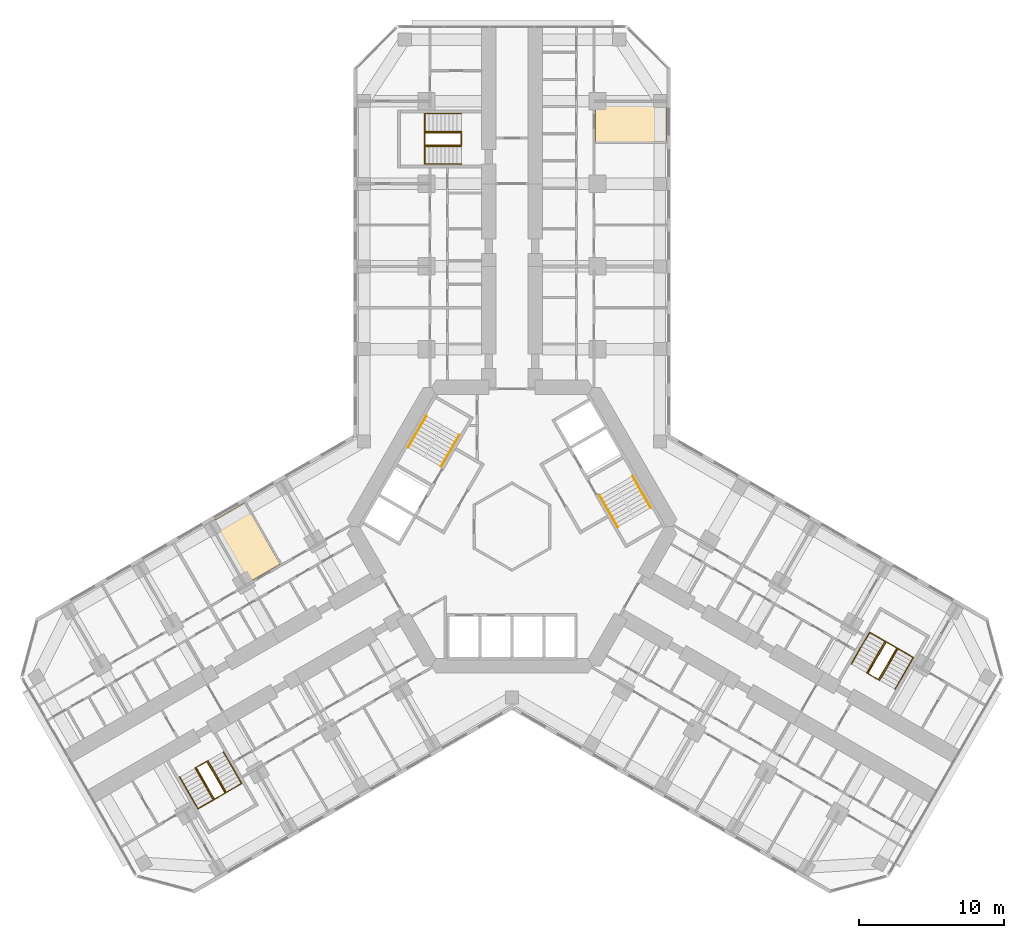
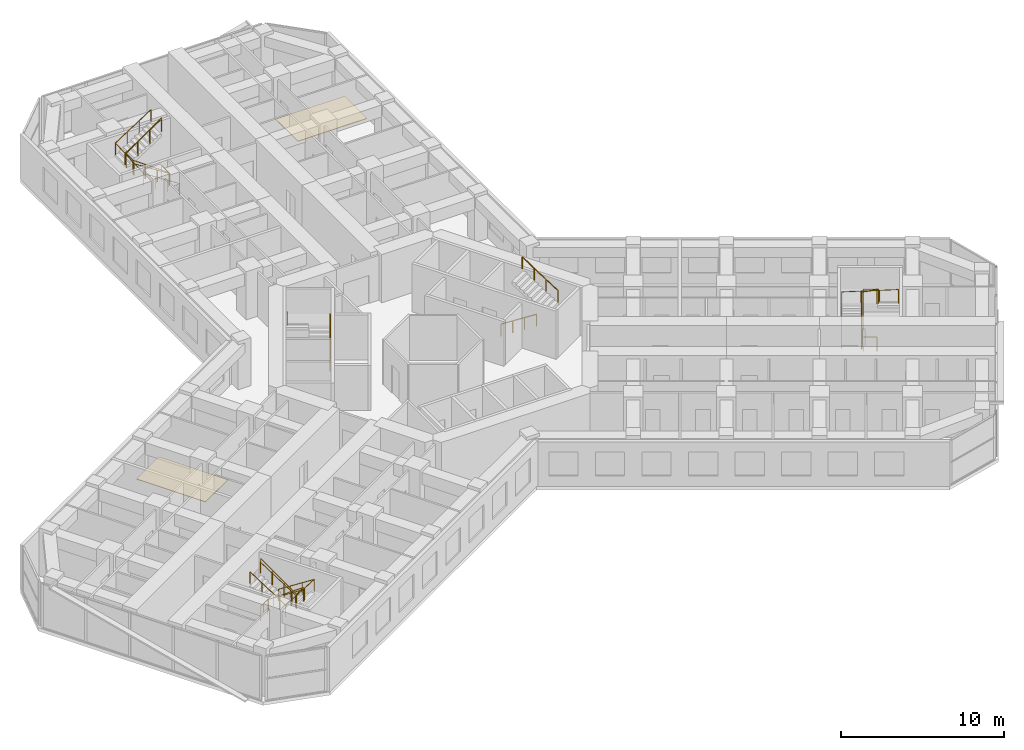
# One storey, part 22 of 22: 13 railings, 2 coverings.
"""IFC4 building model written with IfcOpenShell, lengths in metres."""

from ifc_helpers import new_model, si_unit, direction, frame, origin, origin_2d, place, context, subcontext, project, spatial, polyline, circle, outline, extrude, material, layer, layer_set, type_object, element, save


model = new_model("IFC4")

# Units and contexts
model_context = context("Model", 3, precision=1e-05, world=origin(), true_north=direction((0.0, 1.0)))
body_context = subcontext(model_context, "Body", "Model", "MODEL_VIEW")
ifc_project = project(units=[si_unit("LENGTHUNIT", "METRE"), si_unit("AREAUNIT", "SQUARE_METRE"), si_unit("VOLUMEUNIT", "CUBIC_METRE"), si_unit("PLANEANGLEUNIT", "RADIAN"), si_unit("MASSUNIT", "GRAM", prefix="KILO")], contexts=[model_context])

# Site, building, storey
site_placement = place(None, origin())
site = spatial("IfcSite", under=ifc_project, at=site_placement, CompositionType="ELEMENT")
building_placement = place(site_placement, origin())
building = spatial("IfcBuilding", under=site, at=building_placement, Name="Kosmar Iwan School Tower", CompositionType="ELEMENT")
storey_placement = place(building_placement, frame((0.0, 0.0, 95.199951171875)))
storey = spatial("IfcBuildingStorey", under=building, at=storey_placement, Name="L23", CompositionType="ELEMENT", Elevation=95.199951171875)

# Railings
ifc_material_1 = material(Name="Black steel", Category="steel")
railing_type_1 = type_object("IfcRailingType", Name="Stair handrail 900", PredefinedType="HANDRAIL", material=ifc_material_1)
railing_1_placement = place(storey_placement, frame((-4.89453125, 4.142333984375, 0.179931640625)))
element("IfcRailing", 1, at=railing_1_placement, inside=storey, type_object=railing_type_1, Name="Handrail ST2 flight 1", PredefinedType="HANDRAIL", context=body_context, shape_type="SweptSolid", body=[
    extrude(circle(Radius=0.02392578125, at=origin_2d()), frame((0.0, 0.0, 0.8759765625), z_axis=(0.420584145978, 0.728463801763, 0.540785970299), x_axis=(-0.866022637375, 0.500004791531, 0.0)), (0.0, 0.0, 1.0), 2.995849609375),
    extrude(circle(Radius=0.02099609375, at=origin_2d()), origin(), (0.0, 0.0, 1.0), 0.851806640625),
    extrude(circle(Radius=0.02099609375, at=origin_2d()), frame((0.419921875, 0.7275390625, 0.5400390625)), (0.0, 0.0, 1.0), 0.851806640625),
    extrude(circle(Radius=0.02099609375, at=origin_2d()), frame((0.840087890625, 1.454833984375, 1.080078125)), (0.0, 0.0, 1.0), 0.851806640625),
    extrude(circle(Radius=0.02099609375, at=origin_2d()), frame((1.260009765625, 2.182373046875, 1.6201171875)), (0.0, 0.0, 1.0), 0.851806640625),
])
railing_2_placement = place(storey_placement, frame((-5.912353515625, 7.6396484375, 1.97998046875)))
element("IfcRailing", 2, at=railing_2_placement, inside=storey, type_object=railing_type_1, Name="Handrail ST2 flight 2", PredefinedType="HANDRAIL", context=body_context, shape_type="SweptSolid", body=[
    extrude(circle(Radius=0.02392578125, at=origin_2d()), frame((0.0, 0.0, 0.8759765625), z_axis=(-0.420584145978, -0.728463801763, 0.540785970299), x_axis=(0.866022637375, -0.500004791531, 0.0)), (0.0, 0.0, 1.0), 2.995849609375),
    extrude(circle(Radius=0.02099609375, at=origin_2d()), origin(), (0.0, 0.0, 1.0), 0.851806640625),
    extrude(circle(Radius=0.02099609375, at=origin_2d()), frame((-0.419921875, -0.7275390625, 0.5400390625)), (0.0, 0.0, 1.0), 0.851806640625),
    extrude(circle(Radius=0.02099609375, at=origin_2d()), frame((-0.840087890625, -1.454833984375, 1.080078125)), (0.0, 0.0, 1.0), 0.851806640625),
    extrude(circle(Radius=0.02099609375, at=origin_2d()), frame((-1.260009765625, -2.182373046875, 1.6201171875)), (0.0, 0.0, 1.0), 0.851806640625),
])
railing_3_placement = place(storey_placement, frame((6.03466796875, 2.167724609375, 0.179931640625)))
element("IfcRailing", 3, at=railing_3_placement, inside=storey, type_object=railing_type_1, Name="Handrail ST1 flight 1", PredefinedType="HANDRAIL", context=body_context, shape_type="SweptSolid", body=[
    extrude(circle(Radius=0.02392578125, at=origin_2d()), frame((0.0, 0.0, 0.8759765625), z_axis=(0.420584145978, -0.728463801763, 0.540785970299), x_axis=(0.866022637375, 0.500004791531, 0.0)), (0.0, 0.0, 1.0), 2.995849609375),
    extrude(circle(Radius=0.02099609375, at=origin_2d()), origin(), (0.0, 0.0, 1.0), 0.851806640625),
    extrude(circle(Radius=0.02099609375, at=origin_2d()), frame((0.419921875, -0.7275390625, 0.5400390625)), (0.0, 0.0, 1.0), 0.851806640625),
    extrude(circle(Radius=0.02099609375, at=origin_2d()), frame((0.840087890625, -1.454833984375, 1.080078125)), (0.0, 0.0, 1.0), 0.851806640625),
    extrude(circle(Radius=0.02099609375, at=origin_2d()), frame((1.260009765625, -2.182373046875, 1.6201171875)), (0.0, 0.0, 1.0), 0.851806640625),
])
railing_4_placement = place(storey_placement, frame((9.572265625, 1.30029296875, 1.97998046875)))
element("IfcRailing", 4, at=railing_4_placement, inside=storey, type_object=railing_type_1, Name="Handrail ST1 flight 2", PredefinedType="HANDRAIL", context=body_context, shape_type="SweptSolid", body=[
    extrude(circle(Radius=0.02392578125, at=origin_2d()), frame((0.0, 0.0, 0.8759765625), z_axis=(-0.420584145978, 0.728463801763, 0.540785970299), x_axis=(-0.866022637375, -0.500004791531, 0.0)), (0.0, 0.0, 1.0), 2.995849609375),
    extrude(circle(Radius=0.02099609375, at=origin_2d()), origin(), (0.0, 0.0, 1.0), 0.851806640625),
    extrude(circle(Radius=0.02099609375, at=origin_2d()), frame((-0.419921875, 0.7275390625, 0.5400390625)), (0.0, 0.0, 1.0), 0.851806640625),
    extrude(circle(Radius=0.02099609375, at=origin_2d()), frame((-0.840087890625, 1.454833984375, 1.080078125)), (0.0, 0.0, 1.0), 0.851806640625),
    extrude(circle(Radius=0.02099609375, at=origin_2d()), frame((-1.260009765625, 2.182373046875, 1.6201171875)), (0.0, 0.0, 1.0), 0.851806640625),
])
railing_5_placement = place(storey_placement, frame((-3.5, 25.010009765625, 0.179931640625)))
element("IfcRailing", 5, at=railing_5_placement, inside=storey, type_object=railing_type_1, Name="Handrail stair WS1 L23 wall side", PredefinedType="HANDRAIL", context=body_context, shape_type="SweptSolid", body=[
    extrude(circle(Radius=0.02392578125, at=origin_2d()), frame((0.0, 0.0, 0.8759765625), z_axis=(-0.841162588446, 0.0, 0.540782303519), x_axis=(0.0, -1.0, 0.0)), (0.0, 0.0, 1.0), 2.995849609375),
    extrude(circle(Radius=0.02392578125, at=origin_2d()), frame((-2.52001953125, 0.0, 2.49609375), z_axis=(0.0, 0.998665981786, 0.051635809497), x_axis=(-1.0, 0.0, 0.0)), (0.0, 0.0, 1.0), 3.484619140625),
    extrude(circle(Radius=0.02392578125, at=origin_2d()), frame((-2.52001953125, 3.47998046875, 2.67578125), z_axis=(0.841162588446, 0.0, 0.540782303519), x_axis=(0.0, 1.0, 0.0)), (0.0, 0.0, 1.0), 2.995849609375),
    extrude(circle(Radius=0.02099609375, at=origin_2d()), origin(), (0.0, 0.0, 1.0), 0.851806640625),
    extrude(circle(Radius=0.02099609375, at=origin_2d()), frame((-0.840087890625, 0.0, 0.5400390625)), (0.0, 0.0, 1.0), 0.851806640625),
    extrude(circle(Radius=0.02099609375, at=origin_2d()), frame((-1.679931640625, 0.0, 1.080078125)), (0.0, 0.0, 1.0), 0.851806640625),
    extrude(circle(Radius=0.02099609375, at=origin_2d()), frame((-2.52001953125, 0.0, 1.6201171875)), (0.0, 0.0, 1.0), 0.851806640625),
    extrude(circle(Radius=0.02099609375, at=origin_2d()), frame((-2.52001953125, 1.159912109375, 1.68017578125)), (0.0, 0.0, 1.0), 0.851806640625),
    extrude(circle(Radius=0.02099609375, at=origin_2d()), frame((-2.52001953125, 2.320068359375, 1.739990234375)), (0.0, 0.0, 1.0), 0.851806640625),
    extrude(circle(Radius=0.02099609375, at=origin_2d()), frame((-2.52001953125, 3.47998046875, 1.800048828125)), (0.0, 0.0, 1.0), 0.851806640625),
    extrude(circle(Radius=0.02099609375, at=origin_2d()), frame((-1.679931640625, 3.47998046875, 2.340087890625)), (0.0, 0.0, 1.0), 0.851806640625),
    extrude(circle(Radius=0.02099609375, at=origin_2d()), frame((-0.840087890625, 3.47998046875, 2.880126953125)), (0.0, 0.0, 1.0), 0.851806640625),
    extrude(circle(Radius=0.02099609375, at=origin_2d()), frame((0.0, 3.47998046875, 3.420166015625)), (0.0, 0.0, 1.0), 0.851806640625),
])
railing_6_placement = place(storey_placement, frame((-3.5, 26.239990234375, 0.179931640625)))
element("IfcRailing", 6, at=railing_6_placement, inside=storey, type_object=railing_type_1, Name="Handrail stair WS1 L23 well side", PredefinedType="HANDRAIL", context=body_context, shape_type="SweptSolid", body=[
    extrude(circle(Radius=0.02392578125, at=origin_2d()), frame((0.0, 0.0, 0.8759765625), z_axis=(-0.841162588446, 0.0, 0.540782303519), x_axis=(0.0, -1.0, 0.0)), (0.0, 0.0, 1.0), 2.995849609375),
    extrude(circle(Radius=0.02392578125, at=origin_2d()), frame((-2.52001953125, 0.0, 2.49609375), z_axis=(0.0, 0.984795421109, 0.173718100851), x_axis=(-1.0, 0.0, 0.0)), (0.0, 0.0, 1.0), 1.035888671875),
    extrude(circle(Radius=0.02392578125, at=origin_2d()), frame((-2.52001953125, 1.02001953125, 2.67578125), z_axis=(0.841162588446, 0.0, 0.540782303519), x_axis=(0.0, 1.0, 0.0)), (0.0, 0.0, 1.0), 2.995849609375),
    extrude(circle(Radius=0.02099609375, at=origin_2d()), origin(), (0.0, 0.0, 1.0), 0.851806640625),
    extrude(circle(Radius=0.02099609375, at=origin_2d()), frame((-0.840087890625, 0.0, 0.5400390625)), (0.0, 0.0, 1.0), 0.851806640625),
    extrude(circle(Radius=0.02099609375, at=origin_2d()), frame((-1.679931640625, 0.0, 1.080078125)), (0.0, 0.0, 1.0), 0.851806640625),
    extrude(circle(Radius=0.02099609375, at=origin_2d()), frame((-2.52001953125, 0.0, 1.6201171875)), (0.0, 0.0, 1.0), 0.851806640625),
    extrude(circle(Radius=0.02099609375, at=origin_2d()), frame((-2.52001953125, 1.02001953125, 1.800048828125)), (0.0, 0.0, 1.0), 0.851806640625),
    extrude(circle(Radius=0.02099609375, at=origin_2d()), frame((-1.679931640625, 1.02001953125, 2.340087890625)), (0.0, 0.0, 1.0), 0.851806640625),
    extrude(circle(Radius=0.02099609375, at=origin_2d()), frame((-0.840087890625, 1.02001953125, 2.880126953125)), (0.0, 0.0, 1.0), 0.851806640625),
    extrude(circle(Radius=0.02099609375, at=origin_2d()), frame((0.0, 1.02001953125, 3.420166015625)), (0.0, 0.0, 1.0), 0.851806640625),
])
railing_7_placement = place(storey_placement, frame((-19.9091796875, -15.5361328125, 0.179931640625)))
element("IfcRailing", 7, at=railing_7_placement, inside=storey, type_object=railing_type_1, Name="Handrail stair WS2 L23 wall side", PredefinedType="HANDRAIL", context=body_context, shape_type="SweptSolid", body=[
    extrude(circle(Radius=0.02392578125, at=origin_2d()), frame((0.0, 0.0, 0.8759765625), z_axis=(0.420517065106, -0.728488768407, 0.540804504659), x_axis=(0.866064587494, 0.499932125682, 0.0)), (0.0, 0.0, 1.0), 2.995849609375),
    extrude(circle(Radius=0.02392578125, at=origin_2d()), frame((1.259765625, -2.182373046875, 2.49609375), z_axis=(-0.864864352349, -0.499342858003, 0.051636829851), x_axis=(0.500009906705, -0.86601968407, 0.0)), (0.0, 0.0, 1.0), 3.484619140625),
    extrude(circle(Radius=0.02392578125, at=origin_2d()), frame((-1.75390625, -3.92236328125, 2.67578125), z_axis=(-0.420584145978, 0.728463801763, 0.540785970299), x_axis=(-0.866022637375, -0.500004791531, 0.0)), (0.0, 0.0, 1.0), 2.995849609375),
    extrude(circle(Radius=0.02099609375, at=origin_2d()), origin(), (0.0, 0.0, 1.0), 0.851806640625),
    extrude(circle(Radius=0.02099609375, at=origin_2d()), frame((0.419921875, -0.7275390625, 0.5400390625)), (0.0, 0.0, 1.0), 0.851806640625),
    extrude(circle(Radius=0.02099609375, at=origin_2d()), frame((0.83984375, -1.454833984375, 1.080078125)), (0.0, 0.0, 1.0), 0.851806640625),
    extrude(circle(Radius=0.02099609375, at=origin_2d()), frame((1.259765625, -2.182373046875, 1.6201171875)), (0.0, 0.0, 1.0), 0.851806640625),
    extrude(circle(Radius=0.02099609375, at=origin_2d()), frame((0.255126953125, -2.762451171875, 1.68017578125)), (0.0, 0.0, 1.0), 0.851806640625),
    extrude(circle(Radius=0.02099609375, at=origin_2d()), frame((-0.749267578125, -3.34228515625, 1.739990234375)), (0.0, 0.0, 1.0), 0.851806640625),
    extrude(circle(Radius=0.02099609375, at=origin_2d()), frame((-1.75390625, -3.92236328125, 1.800048828125)), (0.0, 0.0, 1.0), 0.851806640625),
    extrude(circle(Radius=0.02099609375, at=origin_2d()), frame((-2.173828125, -3.19482421875, 2.340087890625)), (0.0, 0.0, 1.0), 0.851806640625),
    extrude(circle(Radius=0.02099609375, at=origin_2d()), frame((-2.593994140625, -2.467529296875, 2.880126953125)), (0.0, 0.0, 1.0), 0.851806640625),
    extrude(circle(Radius=0.02099609375, at=origin_2d()), frame((-3.013916015625, -1.739990234375, 3.420166015625)), (0.0, 0.0, 1.0), 0.851806640625),
])
railing_8_placement = place(storey_placement, frame((-20.974609375, -16.151123046875, 0.179931640625)))
element("IfcRailing", 8, at=railing_8_placement, inside=storey, type_object=railing_type_1, Name="Handrail stair WS2 L23 well side", PredefinedType="HANDRAIL", context=body_context, shape_type="SweptSolid", body=[
    extrude(circle(Radius=0.02392578125, at=origin_2d()), frame((0.0, 0.0, 0.8759765625), z_axis=(0.420584145978, -0.728463801763, 0.540785970299), x_axis=(0.866022637375, 0.500004791531, 0.0)), (0.0, 0.0, 1.0), 2.995849609375),
    extrude(circle(Radius=0.02392578125, at=origin_2d()), frame((1.260009765625, -2.182373046875, 2.49609375), z_axis=(-0.852841519511, -0.492422867401, 0.173726976197), x_axis=(0.500026340207, -0.866010195725, 0.0)), (0.0, 0.0, 1.0), 1.03564453125),
    extrude(circle(Radius=0.02392578125, at=origin_2d()), frame((0.376708984375, -2.6923828125, 2.67578125), z_axis=(-0.420584145978, 0.728463801763, 0.540785970299), x_axis=(-0.866022637375, -0.500004791531, 0.0)), (0.0, 0.0, 1.0), 2.995849609375),
    extrude(circle(Radius=0.02099609375, at=origin_2d()), origin(), (0.0, 0.0, 1.0), 0.851806640625),
    extrude(circle(Radius=0.02099609375, at=origin_2d()), frame((0.419921875, -0.7275390625, 0.5400390625)), (0.0, 0.0, 1.0), 0.851806640625),
    extrude(circle(Radius=0.02099609375, at=origin_2d()), frame((0.840087890625, -1.454833984375, 1.080078125)), (0.0, 0.0, 1.0), 0.851806640625),
    extrude(circle(Radius=0.02099609375, at=origin_2d()), frame((1.260009765625, -2.182373046875, 1.6201171875)), (0.0, 0.0, 1.0), 0.851806640625),
    extrude(circle(Radius=0.02099609375, at=origin_2d()), frame((0.376708984375, -2.6923828125, 1.800048828125)), (0.0, 0.0, 1.0), 0.851806640625),
    extrude(circle(Radius=0.02099609375, at=origin_2d()), frame((-0.043212890625, -1.96484375, 2.340087890625)), (0.0, 0.0, 1.0), 0.851806640625),
    extrude(circle(Radius=0.02099609375, at=origin_2d()), frame((-0.46337890625, -1.237548828125, 2.880126953125)), (0.0, 0.0, 1.0), 0.851806640625),
    extrude(circle(Radius=0.02099609375, at=origin_2d()), frame((-0.88330078125, -0.510009765625, 3.420166015625)), (0.0, 0.0, 1.0), 0.851806640625),
])
railing_9_placement = place(storey_placement, frame((23.4091796875, -9.473876953125, 0.179931640625)))
element("IfcRailing", 9, at=railing_9_placement, inside=storey, type_object=railing_type_1, Name="Handrail stair WS3 L23 wall side", PredefinedType="HANDRAIL", context=body_context, shape_type="SweptSolid", body=[
    extrude(circle(Radius=0.02392578125, at=origin_2d()), frame((0.0, 0.0, 0.8759765625), z_axis=(0.420584145978, 0.728463801763, 0.540785970299), x_axis=(-0.866022637375, 0.500004791531, 0.0)), (0.0, 0.0, 1.0), 2.995849609375),
    extrude(circle(Radius=0.02392578125, at=origin_2d()), frame((1.260009765625, 2.182373046875, 2.49609375), z_axis=(0.864882007433, -0.499312601618, 0.051633701051), x_axis=(0.499979528911, 0.866037222451, 0.0)), (0.0, 0.0, 1.0), 3.48486328125),
    extrude(circle(Radius=0.02392578125, at=origin_2d()), frame((4.27392578125, 0.4423828125, 2.67578125), z_axis=(-0.420584145978, -0.728463801763, 0.540785970299), x_axis=(0.866022637375, -0.500004791531, 0.0)), (0.0, 0.0, 1.0), 2.995849609375),
    extrude(circle(Radius=0.02099609375, at=origin_2d()), origin(), (0.0, 0.0, 1.0), 0.851806640625),
    extrude(circle(Radius=0.02099609375, at=origin_2d()), frame((0.419921875, 0.7275390625, 0.5400390625)), (0.0, 0.0, 1.0), 0.851806640625),
    extrude(circle(Radius=0.02099609375, at=origin_2d()), frame((0.840087890625, 1.454833984375, 1.080078125)), (0.0, 0.0, 1.0), 0.851806640625),
    extrude(circle(Radius=0.02099609375, at=origin_2d()), frame((1.260009765625, 2.182373046875, 1.6201171875)), (0.0, 0.0, 1.0), 0.851806640625),
    extrude(circle(Radius=0.02099609375, at=origin_2d()), frame((2.2646484375, 1.602294921875, 1.68017578125)), (0.0, 0.0, 1.0), 0.851806640625),
    extrude(circle(Radius=0.02099609375, at=origin_2d()), frame((3.269287109375, 1.0224609375, 1.739990234375)), (0.0, 0.0, 1.0), 0.851806640625),
    extrude(circle(Radius=0.02099609375, at=origin_2d()), frame((4.27392578125, 0.4423828125, 1.800048828125)), (0.0, 0.0, 1.0), 0.851806640625),
    extrude(circle(Radius=0.02099609375, at=origin_2d()), frame((3.85400390625, -0.28515625, 2.340087890625)), (0.0, 0.0, 1.0), 0.851806640625),
    extrude(circle(Radius=0.02099609375, at=origin_2d()), frame((3.433837890625, -1.012451171875, 2.880126953125)), (0.0, 0.0, 1.0), 0.851806640625),
    extrude(circle(Radius=0.02099609375, at=origin_2d()), frame((3.013916015625, -1.739990234375, 3.420166015625)), (0.0, 0.0, 1.0), 0.851806640625),
])
railing_10_placement = place(storey_placement, frame((24.474609375, -10.0888671875, 0.179931640625)))
element("IfcRailing", 10, at=railing_10_placement, inside=storey, type_object=railing_type_1, Name="Handrail stair WS3 L23 well side", PredefinedType="HANDRAIL", context=body_context, shape_type="SweptSolid", body=[
    extrude(circle(Radius=0.02392578125, at=origin_2d()), frame((0.0, 0.0, 0.8759765625), z_axis=(0.420584145978, 0.728463801763, 0.540785970299), x_axis=(-0.866022637375, 0.500004791531, 0.0)), (0.0, 0.0, 1.0), 2.995849609375),
    extrude(circle(Radius=0.02392578125, at=origin_2d()), frame((1.260009765625, 2.182373046875, 2.49609375), z_axis=(0.852841519511, -0.492422867401, 0.173726976197), x_axis=(0.500026340207, 0.866010195725, 0.0)), (0.0, 0.0, 1.0), 1.03564453125),
    extrude(circle(Radius=0.02392578125, at=origin_2d()), frame((2.143310546875, 1.67236328125, 2.67578125), z_axis=(-0.420584145978, -0.728463801763, 0.540785970299), x_axis=(0.866022637375, -0.500004791531, 0.0)), (0.0, 0.0, 1.0), 2.995849609375),
    extrude(circle(Radius=0.02099609375, at=origin_2d()), origin(), (0.0, 0.0, 1.0), 0.851806640625),
    extrude(circle(Radius=0.02099609375, at=origin_2d()), frame((0.419921875, 0.7275390625, 0.5400390625)), (0.0, 0.0, 1.0), 0.851806640625),
    extrude(circle(Radius=0.02099609375, at=origin_2d()), frame((0.840087890625, 1.454833984375, 1.080078125)), (0.0, 0.0, 1.0), 0.851806640625),
    extrude(circle(Radius=0.02099609375, at=origin_2d()), frame((1.260009765625, 2.182373046875, 1.6201171875)), (0.0, 0.0, 1.0), 0.851806640625),
    extrude(circle(Radius=0.02099609375, at=origin_2d()), frame((2.143310546875, 1.67236328125, 1.800048828125)), (0.0, 0.0, 1.0), 0.851806640625),
    extrude(circle(Radius=0.02099609375, at=origin_2d()), frame((1.723388671875, 0.94482421875, 2.340087890625)), (0.0, 0.0, 1.0), 0.851806640625),
    extrude(circle(Radius=0.02099609375, at=origin_2d()), frame((1.30322265625, 0.217529296875, 2.880126953125)), (0.0, 0.0, 1.0), 0.851806640625),
    extrude(circle(Radius=0.02099609375, at=origin_2d()), frame((0.88330078125, -0.510009765625, 3.420166015625)), (0.0, 0.0, 1.0), 0.851806640625),
])
ifc_material_2 = material(Name="Black steel", Category="steel")
railing_type_2 = type_object("IfcRailingType", Name="Stair well guard 1100", PredefinedType="GUARDRAIL", material=ifc_material_2)
railing_11_placement = place(storey_placement, frame((-3.5, 27.169921875, 0.0)))
element("IfcRailing", 11, at=railing_11_placement, inside=storey, type_object=railing_type_2, Name="Stair WS1 L23 well guard", PredefinedType="GUARDRAIL", context=body_context, shape_type="SweptSolid", body=[
    extrude(circle(Radius=0.02392578125, at=origin_2d()), frame((0.0, 0.0, 1.076171875), z_axis=(0.0, -1.0, 0.0), x_axis=(1.0, 0.0, 0.0)), (0.0, 0.0, 1.0), 0.83984375),
    extrude(circle(Radius=0.02392578125, at=origin_2d()), frame((0.0, -0.83984375, 1.076171875), z_axis=(-0.813728144527, 0.0, 0.581245650998), x_axis=(0.0, -1.0, 0.0)), (0.0, 0.0, 1.0), 3.096923828125),
    extrude(circle(Radius=0.02392578125, at=origin_2d()), frame((-2.52001953125, -0.83984375, 2.8759765625), z_axis=(0.0, 1.0, 0.0), x_axis=(-1.0, 0.0, 0.0)), (0.0, 0.0, 1.0), 0.83984375),
    extrude(circle(Radius=0.02392578125, at=origin_2d()), frame((-2.52001953125, 0.0, 2.8759765625), z_axis=(0.813728144527, 0.0, 0.581245650998), x_axis=(0.0, 1.0, 0.0)), (0.0, 0.0, 1.0), 3.096923828125),
    extrude(circle(Radius=0.02099609375, at=origin_2d()), origin(), (0.0, 0.0, 1.0), 1.052001953125),
    extrude(circle(Radius=0.02099609375, at=origin_2d()), frame((0.0, -0.83984375, 0.0)), (0.0, 0.0, 1.0), 1.052001953125),
    extrude(circle(Radius=0.02099609375, at=origin_2d()), frame((-0.840087890625, -0.83984375, 0.60009765625)), (0.0, 0.0, 1.0), 1.052001953125),
    extrude(circle(Radius=0.02099609375, at=origin_2d()), frame((-1.679931640625, -0.83984375, 1.199951171875)), (0.0, 0.0, 1.0), 1.052001953125),
    extrude(circle(Radius=0.02099609375, at=origin_2d()), frame((-2.52001953125, -0.83984375, 1.800048828125)), (0.0, 0.0, 1.0), 1.052001953125),
    extrude(circle(Radius=0.02099609375, at=origin_2d()), frame((-2.52001953125, 0.0, 1.800048828125)), (0.0, 0.0, 1.0), 1.052001953125),
    extrude(circle(Radius=0.02099609375, at=origin_2d()), frame((-1.679931640625, 0.0, 2.400146484375)), (0.0, 0.0, 1.0), 1.052001953125),
    extrude(circle(Radius=0.02099609375, at=origin_2d()), frame((-0.840087890625, 0.0, 3.0)), (0.0, 0.0, 1.0), 1.052001953125),
    extrude(circle(Radius=0.02099609375, at=origin_2d()), frame((0.0, 0.0, 3.60009765625)), (0.0, 0.0, 1.0), 1.052001953125),
])
railing_12_placement = place(storey_placement, frame((-21.780029296875, -16.6162109375, 0.0)))
element("IfcRailing", 12, at=railing_12_placement, inside=storey, type_object=railing_type_2, Name="Stair WS2 L23 well guard", PredefinedType="GUARDRAIL", context=body_context, shape_type="SweptSolid", body=[
    extrude(circle(Radius=0.02392578125, at=origin_2d()), frame((0.0, 0.0, 1.076171875), z_axis=(0.865962960534, 0.500108139288, 0.0), x_axis=(-0.500108139288, 0.865962960534, 0.0)), (0.0, 0.0, 1.0), 0.840087890625),
    extrude(circle(Radius=0.02392578125, at=origin_2d()), frame((0.7275390625, 0.420166015625, 1.076171875), z_axis=(0.40686665399, -0.704704712268, 0.58124933925), x_axis=(0.866022637375, 0.500004791531, 0.0)), (0.0, 0.0, 1.0), 3.096923828125),
    extrude(circle(Radius=0.02392578125, at=origin_2d()), frame((1.987548828125, -1.76220703125, 2.8759765625), z_axis=(-0.865962960534, -0.500108139288, 0.0), x_axis=(0.500108139288, -0.865962960534, 0.0)), (0.0, 0.0, 1.0), 0.840087890625),
    extrude(circle(Radius=0.02392578125, at=origin_2d()), frame((1.260009765625, -2.182373046875, 2.8759765625), z_axis=(-0.40686665399, 0.704704712268, 0.58124933925), x_axis=(-0.866022637375, -0.500004791531, 0.0)), (0.0, 0.0, 1.0), 3.096923828125),
    extrude(circle(Radius=0.02099609375, at=origin_2d()), origin(), (0.0, 0.0, 1.0), 1.052001953125),
    extrude(circle(Radius=0.02099609375, at=origin_2d()), frame((0.7275390625, 0.420166015625, 0.0)), (0.0, 0.0, 1.0), 1.052001953125),
    extrude(circle(Radius=0.02099609375, at=origin_2d()), frame((1.1474609375, -0.307373046875, 0.60009765625)), (0.0, 0.0, 1.0), 1.052001953125),
    extrude(circle(Radius=0.02099609375, at=origin_2d()), frame((1.567626953125, -1.03466796875, 1.199951171875)), (0.0, 0.0, 1.0), 1.052001953125),
    extrude(circle(Radius=0.02099609375, at=origin_2d()), frame((1.987548828125, -1.76220703125, 1.800048828125)), (0.0, 0.0, 1.0), 1.052001953125),
    extrude(circle(Radius=0.02099609375, at=origin_2d()), frame((1.260009765625, -2.182373046875, 1.800048828125)), (0.0, 0.0, 1.0), 1.052001953125),
    extrude(circle(Radius=0.02099609375, at=origin_2d()), frame((0.840087890625, -1.454833984375, 2.400146484375)), (0.0, 0.0, 1.0), 1.052001953125),
    extrude(circle(Radius=0.02099609375, at=origin_2d()), frame((0.419921875, -0.7275390625, 3.0)), (0.0, 0.0, 1.0), 1.052001953125),
    extrude(circle(Radius=0.02099609375, at=origin_2d()), frame((0.0, 0.0, 3.60009765625)), (0.0, 0.0, 1.0), 1.052001953125),
])
railing_13_placement = place(storey_placement, frame((25.280029296875, -10.553955078125, 0.0)))
element("IfcRailing", 13, at=railing_13_placement, inside=storey, type_object=railing_type_2, Name="Stair WS3 L23 well guard", PredefinedType="GUARDRAIL", context=body_context, shape_type="SweptSolid", body=[
    extrude(circle(Radius=0.02392578125, at=origin_2d()), frame((0.0, 0.0, 1.076171875), z_axis=(-0.865962960534, 0.500108139288, 0.0), x_axis=(-0.500108139288, -0.865962960534, 0.0)), (0.0, 0.0, 1.0), 0.840087890625),
    extrude(circle(Radius=0.02392578125, at=origin_2d()), frame((-0.7275390625, 0.420166015625, 1.076171875), z_axis=(0.40686665399, 0.704704712268, 0.58124933925), x_axis=(-0.866022637375, 0.500004791531, 0.0)), (0.0, 0.0, 1.0), 3.096923828125),
    extrude(circle(Radius=0.02392578125, at=origin_2d()), frame((0.532470703125, 2.6025390625, 2.8759765625), z_axis=(0.865890253765, -0.500234013672, 0.0), x_axis=(0.500234013672, 0.865890253765, 0.0)), (0.0, 0.0, 1.0), 0.83984375),
    extrude(circle(Radius=0.02392578125, at=origin_2d()), frame((1.259765625, 2.182373046875, 2.8759765625), z_axis=(-0.406800866334, -0.70472731476, 0.58126798207), x_axis=(0.866064587494, -0.499932125682, 0.0)), (0.0, 0.0, 1.0), 3.0966796875),
    extrude(circle(Radius=0.02099609375, at=origin_2d()), origin(), (0.0, 0.0, 1.0), 1.052001953125),
    extrude(circle(Radius=0.02099609375, at=origin_2d()), frame((-0.7275390625, 0.420166015625, 0.0)), (0.0, 0.0, 1.0), 1.052001953125),
    extrude(circle(Radius=0.02099609375, at=origin_2d()), frame((-0.3076171875, 1.147705078125, 0.60009765625)), (0.0, 0.0, 1.0), 1.052001953125),
    extrude(circle(Radius=0.02099609375, at=origin_2d()), frame((0.112548828125, 1.875, 1.199951171875)), (0.0, 0.0, 1.0), 1.052001953125),
    extrude(circle(Radius=0.02099609375, at=origin_2d()), frame((0.532470703125, 2.6025390625, 1.800048828125)), (0.0, 0.0, 1.0), 1.052001953125),
    extrude(circle(Radius=0.02099609375, at=origin_2d()), frame((1.259765625, 2.182373046875, 1.800048828125)), (0.0, 0.0, 1.0), 1.052001953125),
    extrude(circle(Radius=0.02099609375, at=origin_2d()), frame((0.83984375, 1.454833984375, 2.400146484375)), (0.0, 0.0, 1.0), 1.052001953125),
    extrude(circle(Radius=0.02099609375, at=origin_2d()), frame((0.419921875, 0.7275390625, 3.0)), (0.0, 0.0, 1.0), 1.052001953125),
    extrude(circle(Radius=0.02099609375, at=origin_2d()), frame((0.0, 0.0, 3.60009765625)), (0.0, 0.0, 1.0), 1.052001953125),
])

# Coverings
ifc_material_3 = material(Name="Honed limestone on mortar bed", Category="masonry")
ifc_layer = layer(ifc_material_3, 0.0400390625)
ifc_layer_set = layer_set([ifc_layer], Name="Winter garden stone flooring 40")
covering_type = type_object("IfcCoveringType", Name="Winter garden stone flooring 40", PredefinedType="FLOORING", material=ifc_layer_set)
covering_1_placement = place(storey_placement, origin())
element("IfcCovering", 14, at=covering_1_placement, inside=storey, type_object=covering_type, Name="Winter garden flooring L23-AR2-F3", PredefinedType="FLOORING", context=body_context, shape_type="SweptSolid", body=[
    extrude(outline(polyline([(5.760009765625, 26.550048828125), (10.64990234375, 26.550048828125), (10.64990234375, 29.300048828125), (5.760009765625, 29.300048828125), (5.760009765625, 26.550048828125)])), origin(), (0.0, 0.0, 1.0), 0.0400390625),
])
covering_2_placement = place(storey_placement, origin())
element("IfcCovering", 15, at=covering_2_placement, inside=storey, type_object=covering_type, Name="Winter garden flooring L23-BR1-F3", PredefinedType="FLOORING", context=body_context, shape_type="SweptSolid", body=[
    extrude(outline(polyline([(-18.3818359375, -3.961669921875), (-16.000244140625, -2.586669921875), (-18.4453125, 1.648193359375), (-20.826904296875, 0.273193359375), (-18.3818359375, -3.961669921875)])), origin(), (0.0, 0.0, 1.0), 0.0400390625),
])

save(model, "model.ifc")
